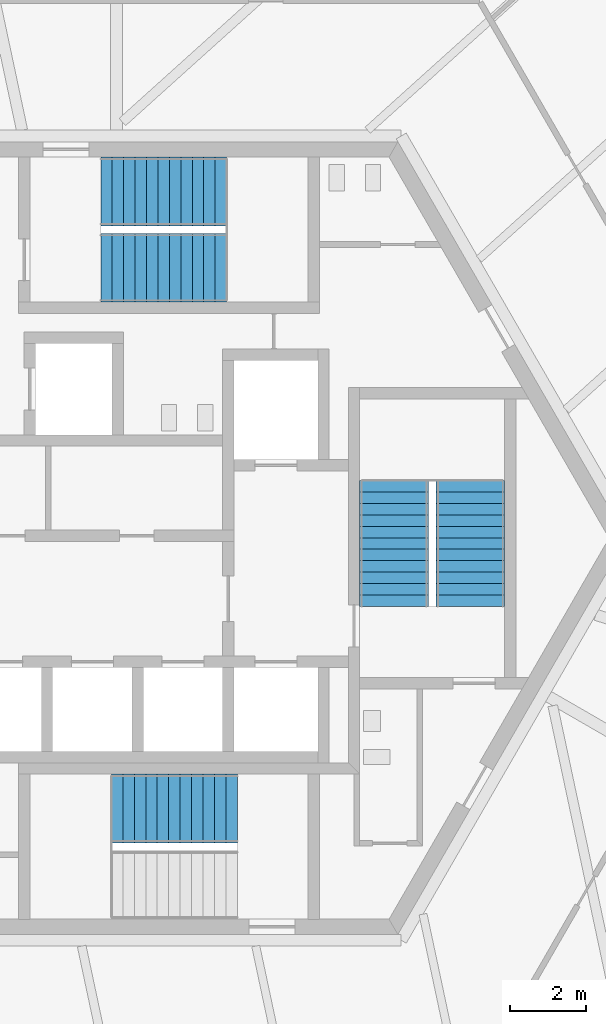
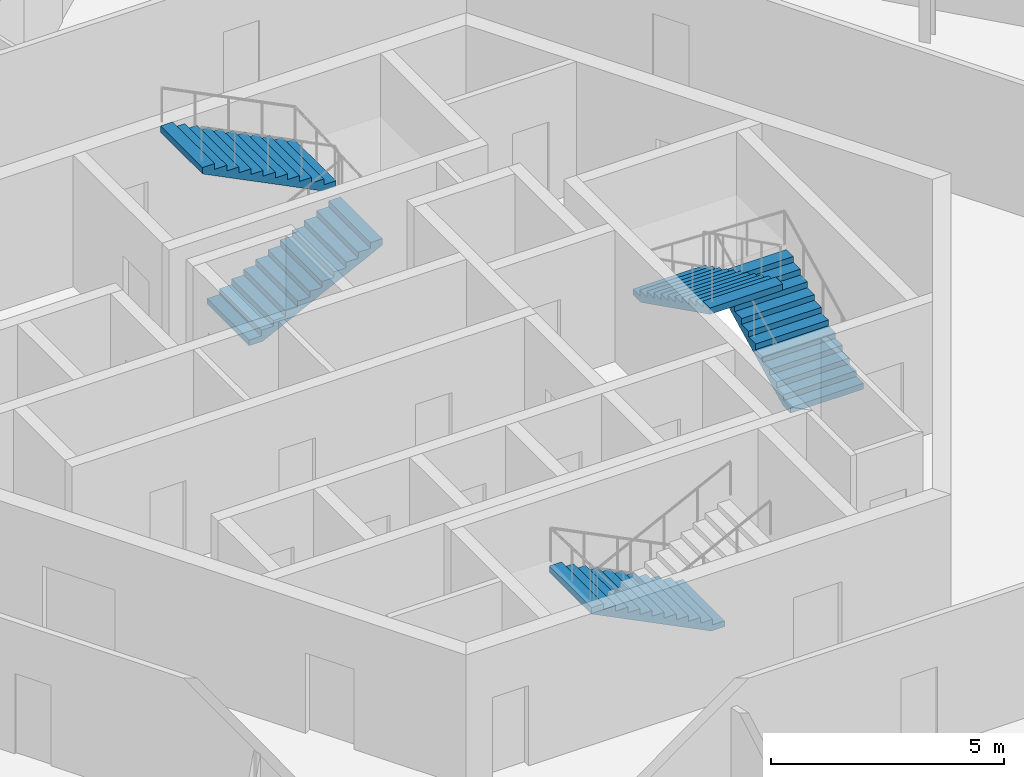
# One storey, part 13 of 15: 5 stair flights, 3 elements without a shape of their own.
"""IFC4 building model written with IfcOpenShell, lengths in metres."""

from ifc_helpers import new_model, si_unit, direction, frame, origin, place, context, subcontext, project, spatial, polyline, outline, extrude, source, transform, mapped, material, type_object, element, aggregate, save


model = new_model("IFC4")

# Units and contexts
model_context = context("Model", 3, precision=1e-05, world=origin(), true_north=direction((0.0, 1.0)))
body_context = subcontext(model_context, "Body", "Model", "MODEL_VIEW")
ifc_project = project(units=[si_unit("LENGTHUNIT", "METRE"), si_unit("AREAUNIT", "SQUARE_METRE"), si_unit("VOLUMEUNIT", "CUBIC_METRE"), si_unit("PLANEANGLEUNIT", "RADIAN"), si_unit("MASSUNIT", "GRAM", prefix="KILO")], contexts=[model_context])

# Site, building, storey
site_placement = place(None, origin())
site = spatial("IfcSite", under=ifc_project, at=site_placement, CompositionType="ELEMENT")
building_placement = place(site_placement, origin())
building = spatial("IfcBuilding", under=site, at=building_placement, Name="Triune Harvest Tower", CompositionType="ELEMENT")
storey_placement = place(building_placement, frame((0.0, 0.0, 270.300048828125)))
storey = spatial("IfcBuildingStorey", under=building, at=storey_placement, Name="L71", CompositionType="ELEMENT", Elevation=270.300048828125)

# Stair, stair flights
ifc_material_1 = material(Name="Concrete 40 MPa", Category="concrete")
stair_type = type_object("IfcStairType", Name="Exit stair 1800 half turn", PredefinedType="HALF_TURN_STAIR", material=ifc_material_1)
stair_1_placement = place(storey_placement, origin())
stair_1 = element("IfcStair", 1, at=stair_1_placement, inside=storey, type_object=stair_type, Name="Exit stair north", PredefinedType="HALF_TURN_STAIR")
ifc_material_2 = material(Name="Concrete 40 MPa", Category="concrete")
stair_flight_type = type_object("IfcStairFlightType", Name="Stair flight 1800", PredefinedType="STRAIGHT", material=ifc_material_2)
shared_shape = source(origin(), body_context, "Body", "SweptSolid", [
    extrude(outline(polyline([(0.0, 0.0), (0.0, 0.14990234375), (0.300048828125, 0.14990234375), (0.300048828125, 0.300048828125), (0.60009765625, 0.300048828125), (0.60009765625, 0.449951171875), (0.89990234375, 0.449951171875), (0.89990234375, 0.60009765625), (1.199951171875, 0.60009765625), (1.199951171875, 0.75), (1.5, 0.75), (1.5, 0.89990234375), (1.800048828125, 0.89990234375), (1.800048828125, 1.050048828125), (2.10009765625, 1.050048828125), (2.10009765625, 1.199951171875), (2.39990234375, 1.199951171875), (2.39990234375, 1.35009765625), (2.699951171875, 1.35009765625), (2.699951171875, 1.5), (3.0, 1.5), (3.0, 1.64990234375), (3.300048828125, 1.64990234375), (3.300048828125, 1.800048828125), (3.300048828125, 1.482421875), (0.335205078125, 0.0), (0.0, 0.0)])), frame((0.0, 0.89990234375, 0.0), z_axis=(0.0, -1.0, 0.0), x_axis=(1.0, 0.0, 0.0)), (0.0, 0.0, 1.0), 1.800048828125),
])
stair_flight_1_placement = place(storey_placement, frame((-1.7900390625, 7.090087890625, 0.0), z_axis=(0.0, 0.0, 1.0), x_axis=(1.0, 0.0, 0.0)))
stair_flight_1 = element("IfcStairFlight", 2, at=stair_flight_1_placement, type_object=stair_flight_type, Name="ST-1 flight 1", NumberOfRisers=12, NumberOfTreads=11, PredefinedType="STRAIGHT", RiserHeight=0.15, TreadLength=0.3, context=body_context, shape_type="MappedRepresentation", body=[
    mapped(shared_shape, transform((0.0, 0.0, 0.0), scale=1.0)),
])
stair_flight_2_placement = place(storey_placement, frame((1.510009765625, 9.090087890625, 1.800048828125), z_axis=(0.0, 0.0, 1.0), x_axis=(-1.0, 0.0, 0.0)))
stair_flight_2 = element("IfcStairFlight", 3, at=stair_flight_2_placement, type_object=stair_flight_type, Name="ST-1 flight 2", NumberOfRisers=12, NumberOfTreads=11, PredefinedType="STRAIGHT", RiserHeight=0.15, TreadLength=0.3, context=body_context, shape_type="MappedRepresentation", body=[
    mapped(shared_shape, transform((0.0, 0.0, 0.0), scale=1.0)),
])
aggregate(stair_1, [stair_flight_1, stair_flight_2])

# Stair, stair flight
stair_2_placement = place(storey_placement, origin())
stair_2 = element("IfcStair", 4, at=stair_2_placement, inside=storey, type_object=stair_type, Name="Exit stair south", PredefinedType="HALF_TURN_STAIR")
stair_flight_3_placement = place(storey_placement, frame((1.7900390625, -7.090087890625, 0.0), z_axis=(0.0, 0.0, 1.0), x_axis=(-1.0, 0.0, 0.0)))
stair_flight_3 = element("IfcStairFlight", 5, at=stair_flight_3_placement, type_object=stair_flight_type, Name="ST-2 flight 1", NumberOfRisers=12, NumberOfTreads=11, PredefinedType="STRAIGHT", RiserHeight=0.15, TreadLength=0.3, context=body_context, shape_type="MappedRepresentation", body=[
    mapped(shared_shape, transform((0.0, 0.0, 0.0), scale=1.0)),
])
aggregate(stair_2, [stair_flight_3])

# Stair, stair flights
stair_3_placement = place(storey_placement, origin())
stair_3 = element("IfcStair", 6, at=stair_3_placement, inside=storey, type_object=stair_type, Name="Exit stair east", PredefinedType="HALF_TURN_STAIR")
stair_flight_4_placement = place(storey_placement, frame((7.89990234375, -1.7900390625, 0.0), z_axis=(0.0, 0.0, 1.0), x_axis=(0.0, 1.0, 0.0)))
stair_flight_4 = element("IfcStairFlight", 7, at=stair_flight_4_placement, type_object=stair_flight_type, Name="ST-3 flight 1", NumberOfRisers=12, NumberOfTreads=11, PredefinedType="STRAIGHT", RiserHeight=0.15, TreadLength=0.3, context=body_context, shape_type="MappedRepresentation", body=[
    mapped(shared_shape, transform((0.0, 0.0, 0.0), scale=1.0)),
])
stair_flight_5_placement = place(storey_placement, frame((5.89990234375, 1.510009765625, 1.800048828125), z_axis=(0.0, 0.0, 1.0), x_axis=(0.0, -1.0, 0.0)))
stair_flight_5 = element("IfcStairFlight", 8, at=stair_flight_5_placement, type_object=stair_flight_type, Name="ST-3 flight 2", NumberOfRisers=12, NumberOfTreads=11, PredefinedType="STRAIGHT", RiserHeight=0.15, TreadLength=0.3, context=body_context, shape_type="MappedRepresentation", body=[
    mapped(shared_shape, transform((0.0, 0.0, 0.0), scale=1.0)),
])
aggregate(stair_3, [stair_flight_4, stair_flight_5])

save(model, "model.ifc")
